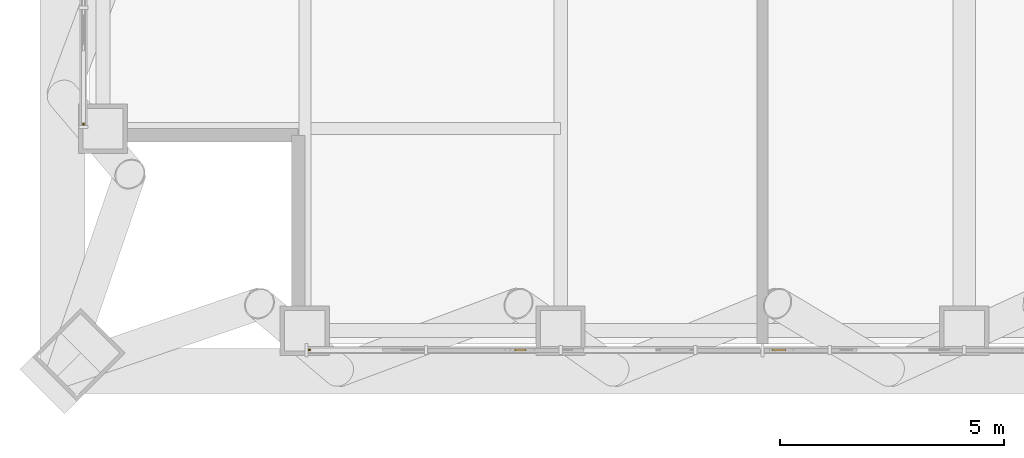
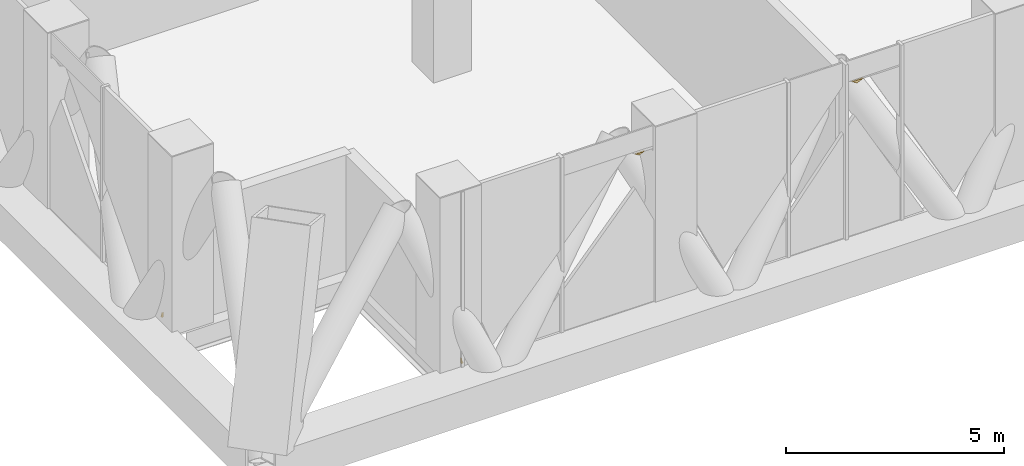
# One storey, part 20 of 29: 4 coverings.
"""IFC4 building model written with IfcOpenShell, lengths in metres."""

from ifc_helpers import new_model, si_unit, direction, frame, origin, place, context, subcontext, project, spatial, polyline, outline, extrude, material, layer, layer_set, type_object, element, save


model = new_model("IFC4")

# Units and contexts
model_context = context("Model", 3, precision=1e-05, world=origin(), true_north=direction((0.0, 1.0)))
body_context = subcontext(model_context, "Body", "Model", "MODEL_VIEW")
ifc_project = project(units=[si_unit("LENGTHUNIT", "METRE"), si_unit("AREAUNIT", "SQUARE_METRE"), si_unit("VOLUMEUNIT", "CUBIC_METRE"), si_unit("PLANEANGLEUNIT", "RADIAN"), si_unit("MASSUNIT", "GRAM", prefix="KILO")], contexts=[model_context])

# Site, building, storey
site_placement = place(None, origin())
site = spatial("IfcSite", under=ifc_project, at=site_placement, CompositionType="ELEMENT")
building_placement = place(site_placement, origin())
building = spatial("IfcBuilding", under=site, at=building_placement, Name="Malebo Sky Hospital", CompositionType="ELEMENT")
storey_placement = place(building_placement, frame((0.0, 0.0, 172.0)))
storey = spatial("IfcBuildingStorey", under=building, at=storey_placement, Name="L41", CompositionType="ELEMENT", Elevation=172.0)

# Coverings
ifc_material = material(Name="Anodised aluminium, natural silver insulated infill panel", Category="aluminium")
ifc_layer = layer(ifc_material, 0.0400390625)
ifc_layer_set = layer_set([ifc_layer], Name="BRACE INFILL PANEL 40")
covering_type = type_object("IfcCoveringType", Name="BRACE INFILL PANEL 40", PredefinedType="CLADDING", material=ifc_layer_set)
covering_1_placement = place(storey_placement, frame((35.864990234375, 42.90234375, 0.10009765625), z_axis=(0.0, 0.0, 1.0), x_axis=(0.0, 1.0, 0.0)))
element("IfcCovering", 1, at=covering_1_placement, inside=storey, type_object=covering_type, Name="Brace infill panel 1.2", PredefinedType="CLADDING", context=body_context, shape_type="SweptSolid", body=[
    extrude(outline(polyline([(-0.02734375, 0.0), (0.02734375, 0.0), (-0.02734375, 0.1416015625), (-0.02734375, 0.0)])), frame((0.0, 0.02001953125, 0.0), z_axis=(0.0, -1.0, 0.0), x_axis=(1.0, 0.0, 0.0)), (0.0, 0.0, 1.0), 0.0400390625),
])
covering_2_placement = place(storey_placement, frame((51.365966796875, 37.864990234375, 4.29296875), z_axis=(0.0, 0.0, 1.0), x_axis=(-1.0, 0.0, 0.0)))
element("IfcCovering", 2, at=covering_2_placement, inside=storey, type_object=covering_type, Name="Brace infill panel 11.3", PredefinedType="CLADDING", context=body_context, shape_type="SweptSolid", body=[
    extrude(outline(polyline([(0.023681640625, 0.0), (0.1474609375, 0.074951171875), (-0.1474609375, 0.074951171875), (0.023681640625, 0.0)])), frame((0.0, 0.02001953125, 0.0), z_axis=(0.0, -1.0, 0.0), x_axis=(1.0, 0.0, 0.0)), (0.0, 0.0, 1.0), 0.0400390625),
])
covering_3_placement = place(storey_placement, frame((45.602783203125, 37.864990234375, 4.2919921875), z_axis=(0.0, 0.0, 1.0), x_axis=(-1.0, 0.0, 0.0)))
element("IfcCovering", 3, at=covering_3_placement, inside=storey, type_object=covering_type, Name="Brace infill panel 14.4", PredefinedType="CLADDING", context=body_context, shape_type="SweptSolid", body=[
    extrude(outline(polyline([(0.0322265625, 0.0), (0.122802734375, 0.060302734375), (-0.122802734375, 0.060302734375), (0.0322265625, 0.0)])), frame((0.0, 0.02001953125, 0.0), z_axis=(0.0, -1.0, 0.0), x_axis=(1.0, 0.0, 0.0)), (0.0, 0.0, 1.0), 0.0400390625),
])
covering_4_placement = place(storey_placement, frame((40.90234375, 37.864990234375, 0.10009765625), z_axis=(0.0, 0.0, 1.0), x_axis=(-1.0, 0.0, 0.0)))
element("IfcCovering", 4, at=covering_4_placement, inside=storey, type_object=covering_type, Name="Brace infill panel 15.2", PredefinedType="CLADDING", context=body_context, shape_type="SweptSolid", body=[
    extrude(outline(polyline([(-0.02734375, 0.0), (0.02734375, 0.0), (0.02734375, 0.1416015625), (-0.02734375, 0.0)])), frame((0.0, 0.02001953125, 0.0), z_axis=(0.0, -1.0, 0.0), x_axis=(1.0, 0.0, 0.0)), (0.0, 0.0, 1.0), 0.0400390625),
])

save(model, "model.ifc")
